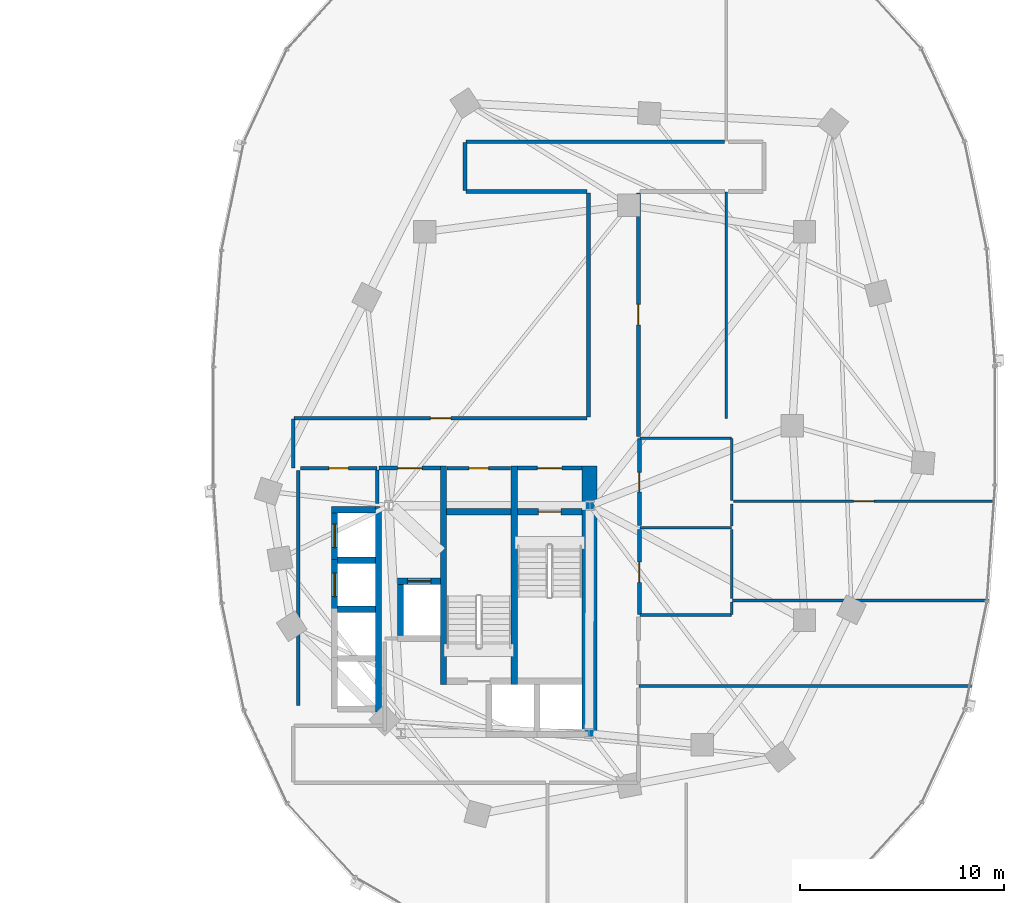
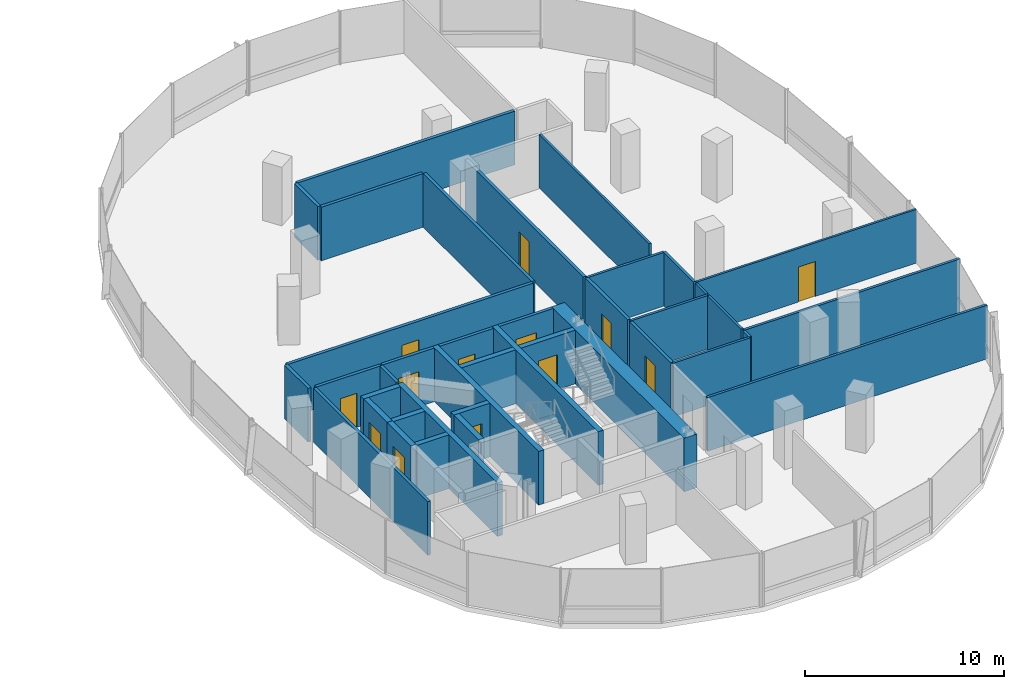
# One storey, part 13 of 21: 39 walls, 13 doors, 13 openings.
"""IFC4 building model written with IfcOpenShell, lengths in metres."""

from ifc_helpers import new_model, si_unit, direction, frame, frame_2d, origin, place, context, subcontext, project, spatial, rectangle, extrude, material, layer, layer_set, type_object, element, fill, save


model = new_model("IFC4")

# Units and contexts
model_context = context("Model", 3, precision=1e-05, world=origin(), true_north=direction((0.0, 1.0)))
body_context = subcontext(model_context, "Body", "Model", "MODEL_VIEW")
ifc_project = project(units=[si_unit("LENGTHUNIT", "METRE"), si_unit("AREAUNIT", "SQUARE_METRE"), si_unit("VOLUMEUNIT", "CUBIC_METRE"), si_unit("PLANEANGLEUNIT", "RADIAN"), si_unit("MASSUNIT", "GRAM", prefix="KILO"), si_unit("THERMODYNAMICTEMPERATUREUNIT", "KELVIN"), si_unit("POWERUNIT", "WATT")], contexts=[model_context])

# Site, building, storey
site_placement = place(None, origin())
site = spatial("IfcSite", under=ifc_project, at=site_placement, CompositionType="ELEMENT")
building_placement = place(site_placement, origin())
building = spatial("IfcBuilding", under=site, at=building_placement, Name="Cundina Bronze Exchange", CompositionType="ELEMENT")
storey_placement = place(building_placement, frame((0.0, 0.0, 89.0)))
storey = spatial("IfcBuildingStorey", under=building, at=storey_placement, Name="L22", CompositionType="ELEMENT", Elevation=89.0)

# Wall
ifc_material_1 = material(Name="Gypsum Fireboard Partition EI120")
ifc_layer_1 = layer(ifc_material_1, 0.179931640625, Name="Gypsum Fireboard Partition EI120")
ifc_layer_set_1 = layer_set([ifc_layer_1], Name="Gypsum Fireboard Partition EI120")
wall_type_1 = type_object("IfcWallType", Name="WL-COR-180", PredefinedType="PARTITIONING", material=ifc_layer_set_1)
wall_1_placement = place(storey_placement, frame((20.889892578125, -3.800048828125, 0.0), z_axis=(0.0, 0.0, 1.0), x_axis=(0.0, 1.0, 0.0)))
element("IfcWall", 1, at=wall_1_placement, inside=storey, type_object=wall_type_1, Name="L22 E Firefighting Lobby Side Wall", PredefinedType="PARTITIONING", context=body_context, shape_type="SweptSolid", body=[
    extrude(rectangle(XDim=1.650146484375, YDim=0.179931640625, at=frame_2d((0.8251953125, 0.0))), origin(), (0.0, 0.0, 1.0), 3.300048828125),
])

# Wall, opening, door
wall_2_placement = place(storey_placement, frame((20.97998046875, -2.06005859375, 0.0), z_axis=(0.0, 0.0, 1.0), x_axis=(1.0, 0.0, 0.0)))
wall_2 = element("IfcWall", 2, at=wall_2_placement, inside=storey, type_object=wall_type_1, Name="L22 E Firefighting Lobby Exit Wall", PredefinedType="PARTITIONING", context=body_context, shape_type="SweptSolid", body=[
    extrude(rectangle(XDim=3.0, YDim=0.179931640625, at=frame_2d((1.5, 0.0))), origin(), (0.0, 0.0, 1.0), 3.300048828125),
])
opening_1_placement = place(wall_2_placement, frame((0.89990234375, 0.0, 0.0)))
opening_1 = element("IfcOpeningElement", 3, at=opening_1_placement, cuts=wall_2, Name="Opening DF-01", PredefinedType="OPENING", context=body_context, shape_type="SweptSolid", body=[
    extrude(rectangle(XDim=1.199951171875, YDim=2.14990234375, at=frame_2d((0.60009765625, 1.074951171875))), frame((0.0, 0.099853515625, 0.0), z_axis=(0.0, -1.0, 0.0), x_axis=(1.0, 0.0, 0.0)), (0.0, 0.0, 1.0), 0.199951171875),
])
ifc_material_2 = material(Name="Steel ASTM A36 Painted", Category="steel")
door_type_1 = type_object("IfcDoorType", Name="DR-FFL-1200", OperationType="NOTDEFINED", PredefinedType="DOOR", material=ifc_material_2)
door_1_placement = place(opening_1_placement, origin())
door_1 = element("IfcDoor", 4, at=door_1_placement, inside=storey, type_object=door_type_1, Name="L22 E Firefighting Lobby Door", OperationType="SINGLE_SWING_LEFT", OverallHeight=2.14990234375, OverallWidth=1.199951171875, PredefinedType="DOOR", context=body_context, shape_type="SweptSolid", body=[
    extrude(rectangle(XDim=1.199951171875, YDim=2.14990234375, at=frame_2d((0.60009765625, 1.074951171875))), frame((0.0, 0.02490234375, 0.0), z_axis=(0.0, -1.0, 0.0), x_axis=(1.0, 0.0, 0.0)), (0.0, 0.0, 1.0), 0.050048828125),
])
fill(opening_1, door_1)

wall_3_placement = place(storey_placement, frame((27.739990234375, -2.06005859375, 0.0), z_axis=(0.0, 0.0, 1.0), x_axis=(1.0, 0.0, 0.0)))
wall_3 = element("IfcWall", 5, at=wall_3_placement, inside=storey, type_object=wall_type_1, Name="L22 E Stair Vestibule Exit Wall", PredefinedType="PARTITIONING", context=body_context, shape_type="SweptSolid", body=[
    extrude(rectangle(XDim=3.159912109375, YDim=0.179931640625, at=frame_2d((1.580078125, 0.0))), origin(), (0.0, 0.0, 1.0), 3.300048828125),
])
opening_2_placement = place(wall_3_placement, frame((0.97998046875, 0.0, 0.0)))
opening_2 = element("IfcOpeningElement", 6, at=opening_2_placement, cuts=wall_3, Name="Opening DF-01", PredefinedType="OPENING", context=body_context, shape_type="SweptSolid", body=[
    extrude(rectangle(XDim=1.199951171875, YDim=2.14990234375, at=frame_2d((0.60009765625, 1.074951171875))), frame((0.0, 0.099853515625, 0.0), z_axis=(0.0, -1.0, 0.0), x_axis=(1.0, 0.0, 0.0)), (0.0, 0.0, 1.0), 0.199951171875),
])
door_2_placement = place(opening_2_placement, origin())
door_2 = element("IfcDoor", 7, at=door_2_placement, inside=storey, type_object=door_type_1, Name="L22 E Stair Vestibule Door", OperationType="SINGLE_SWING_RIGHT", OverallHeight=2.14990234375, OverallWidth=1.199951171875, PredefinedType="DOOR", context=body_context, shape_type="SweptSolid", body=[
    extrude(rectangle(XDim=1.199951171875, YDim=2.14990234375, at=frame_2d((0.60009765625, 1.074951171875))), frame((0.0, 0.02490234375, 0.0), z_axis=(0.0, -1.0, 0.0), x_axis=(1.0, 0.0, 0.0)), (0.0, 0.0, 1.0), 0.050048828125),
])
fill(opening_2, door_2)

# Wall
wall_4_placement = place(storey_placement, frame((17.02001953125, -13.679931640625, 0.0), z_axis=(0.0, 0.0, 1.0), x_axis=(0.0, 1.0, 0.0)))
element("IfcWall", 8, at=wall_4_placement, inside=storey, type_object=wall_type_1, Name="L22 Interior Partition 034", PredefinedType="PARTITIONING", context=body_context, shape_type="SweptSolid", body=[
    extrude(rectangle(XDim=11.510009765625, YDim=0.179931640625, at=frame_2d((5.7548828125, 0.0))), origin(), (0.0, 0.0, 1.0), 3.300048828125),
])

# Wall, opening, door
wall_5_placement = place(storey_placement, frame((17.1201171875, -2.070068359375, 0.0), z_axis=(0.0, 0.0, 1.0), x_axis=(1.0, 0.0, 0.0)))
wall_5 = element("IfcWall", 9, at=wall_5_placement, inside=storey, type_object=wall_type_1, Name="L22 Interior Partition 035", PredefinedType="PARTITIONING", context=body_context, shape_type="SweptSolid", body=[
    extrude(rectangle(XDim=3.75, YDim=0.179931640625, at=frame_2d((1.875, 0.0))), origin(), (0.0, 0.0, 1.0), 3.300048828125),
])
opening_3_placement = place(wall_5_placement, frame((1.39990234375, 0.0, 0.0)))
opening_3 = element("IfcOpeningElement", 10, at=opening_3_placement, cuts=wall_5, Name="Opening DW-01", PredefinedType="OPENING", context=body_context, shape_type="SweptSolid", body=[
    extrude(rectangle(XDim=0.949951171875, YDim=2.10009765625, at=frame_2d((0.47509765625, 1.050048828125))), frame((0.0, 0.099853515625, 0.0), z_axis=(0.0, -1.0, 0.0), x_axis=(1.0, 0.0, 0.0)), (0.0, 0.0, 1.0), 0.199951171875),
])
ifc_material_3 = material(Name="Solid Andean Oak Timber Grade A", Category="wood")
door_type_2 = type_object("IfcDoorType", Name="DR-WC-950", OperationType="NOTDEFINED", PredefinedType="DOOR", material=ifc_material_3)
door_3_placement = place(opening_3_placement, origin())
door_3 = element("IfcDoor", 11, at=door_3_placement, inside=storey, type_object=door_type_2, Name="L22 Interior Door 035", OperationType="SINGLE_SWING_RIGHT", OverallHeight=2.10009765625, OverallWidth=0.949951171875, PredefinedType="DOOR", context=body_context, shape_type="SweptSolid", body=[
    extrude(rectangle(XDim=0.949951171875, YDim=2.10009765625, at=frame_2d((0.47509765625, 1.050048828125))), frame((0.0, 0.02490234375, 0.0), z_axis=(0.0, -1.0, 0.0), x_axis=(1.0, 0.0, 0.0)), (0.0, 0.0, 1.0), 0.050048828125),
])
fill(opening_3, door_3)

wall_6_placement = place(storey_placement, frame((24.300048828125, -2.070068359375, 0.0), z_axis=(0.0, 0.0, 1.0), x_axis=(1.0, 0.0, 0.0)))
wall_6 = element("IfcWall", 12, at=wall_6_placement, inside=storey, type_object=wall_type_1, Name="L22 Interior Partition 038", PredefinedType="PARTITIONING", context=body_context, shape_type="SweptSolid", body=[
    extrude(rectangle(XDim=3.119873046875, YDim=0.179931640625, at=frame_2d((1.56005859375, 0.0))), origin(), (0.0, 0.0, 1.0), 3.300048828125),
])
opening_4_placement = place(wall_6_placement, frame((1.0849609375, 0.0, 0.0)))
opening_4 = element("IfcOpeningElement", 13, at=opening_4_placement, cuts=wall_6, Name="Opening DW-01", PredefinedType="OPENING", context=body_context, shape_type="SweptSolid", body=[
    extrude(rectangle(XDim=0.949951171875, YDim=2.10009765625, at=frame_2d((0.47509765625, 1.050048828125))), frame((0.0, 0.099853515625, 0.0), z_axis=(0.0, -1.0, 0.0), x_axis=(1.0, 0.0, 0.0)), (0.0, 0.0, 1.0), 0.199951171875),
])
door_4_placement = place(opening_4_placement, origin())
door_4 = element("IfcDoor", 14, at=door_4_placement, inside=storey, type_object=door_type_2, Name="L22 Interior Door 038", OperationType="SINGLE_SWING_RIGHT", OverallHeight=2.10009765625, OverallWidth=0.949951171875, PredefinedType="DOOR", context=body_context, shape_type="SweptSolid", body=[
    extrude(rectangle(XDim=0.949951171875, YDim=2.10009765625, at=frame_2d((0.47509765625, 1.050048828125))), frame((0.0, 0.02490234375, 0.0), z_axis=(0.0, -1.0, 0.0), x_axis=(1.0, 0.0, 0.0)), (0.0, 0.0, 1.0), 0.050048828125),
])
fill(opening_4, door_4)

wall_7_placement = place(storey_placement, frame((33.719970703125, -4.8798828125, 0.0), z_axis=(0.0, 0.0, 1.0), x_axis=(0.0, 1.0, 0.0)))
wall_7 = element("IfcWall", 15, at=wall_7_placement, inside=storey, type_object=wall_type_1, Name="L22 Interior Partition 046", PredefinedType="PARTITIONING", context=body_context, shape_type="SweptSolid", body=[
    extrude(rectangle(XDim=4.259765625, YDim=0.179931640625, at=frame_2d((2.1298828125, 0.0))), origin(), (0.0, 0.0, 1.0), 3.300048828125),
])
opening_5_placement = place(wall_7_placement, frame((1.655029296875, 0.0, 0.0)))
opening_5 = element("IfcOpeningElement", 16, at=opening_5_placement, cuts=wall_7, Name="Opening DW-01", PredefinedType="OPENING", context=body_context, shape_type="SweptSolid", body=[
    extrude(rectangle(XDim=0.949951171875, YDim=2.10009765625, at=frame_2d((0.47509765625, 1.050048828125))), frame((0.0, 0.099853515625, 0.0), z_axis=(0.0, -1.0, 0.0), x_axis=(1.0, 0.0, 0.0)), (0.0, 0.0, 1.0), 0.199951171875),
])
door_5_placement = place(opening_5_placement, origin())
door_5 = element("IfcDoor", 17, at=door_5_placement, inside=storey, type_object=door_type_2, Name="L22 Interior Door 046", OperationType="SINGLE_SWING_RIGHT", OverallHeight=2.10009765625, OverallWidth=0.949951171875, PredefinedType="DOOR", context=body_context, shape_type="SweptSolid", body=[
    extrude(rectangle(XDim=0.949951171875, YDim=2.10009765625, at=frame_2d((0.47509765625, 1.050048828125))), frame((0.0, 0.02490234375, 0.0), z_axis=(0.0, -1.0, 0.0), x_axis=(1.0, 0.0, 0.0)), (0.0, 0.0, 1.0), 0.050048828125),
])
fill(opening_5, door_5)

wall_8_placement = place(storey_placement, frame((33.719970703125, -9.239990234375, 0.0), z_axis=(0.0, 0.0, 1.0), x_axis=(0.0, 1.0, 0.0)))
wall_8 = element("IfcWall", 18, at=wall_8_placement, inside=storey, type_object=wall_type_1, Name="L22 Interior Partition 047", PredefinedType="PARTITIONING", context=body_context, shape_type="SweptSolid", body=[
    extrude(rectangle(XDim=4.159912109375, YDim=0.179931640625, at=frame_2d((2.080078125, 0.0))), origin(), (0.0, 0.0, 1.0), 3.300048828125),
])
opening_6_placement = place(wall_8_placement, frame((1.580078125, 0.0, 0.0)))
opening_6 = element("IfcOpeningElement", 19, at=opening_6_placement, cuts=wall_8, Name="Opening DO-01", PredefinedType="OPENING", context=body_context, shape_type="SweptSolid", body=[
    extrude(rectangle(XDim=1.0, YDim=2.14990234375, at=frame_2d((0.5, 1.074951171875))), frame((0.0, 0.099853515625, 0.0), z_axis=(0.0, -1.0, 0.0), x_axis=(1.0, 0.0, 0.0)), (0.0, 0.0, 1.0), 0.199951171875),
])
door_type_3 = type_object("IfcDoorType", Name="DR-OFF-1000", OperationType="NOTDEFINED", PredefinedType="DOOR", material=ifc_material_3)
door_6_placement = place(opening_6_placement, origin())
door_6 = element("IfcDoor", 20, at=door_6_placement, inside=storey, type_object=door_type_3, Name="L22 Interior Door 047", OperationType="SINGLE_SWING_RIGHT", OverallHeight=2.14990234375, OverallWidth=1.0, PredefinedType="DOOR", context=body_context, shape_type="SweptSolid", body=[
    extrude(rectangle(XDim=1.0, YDim=2.14990234375, at=frame_2d((0.5, 1.074951171875))), frame((0.0, 0.02490234375, 0.0), z_axis=(0.0, -1.0, 0.0), x_axis=(1.0, 0.0, 0.0)), (0.0, 0.0, 1.0), 0.050048828125),
])
fill(opening_6, door_6)

wall_9_placement = place(storey_placement, frame((31.14990234375, 0.3701171875, 0.0), z_axis=(0.0, 0.0, 1.0), x_axis=(-1.0, 0.0, 0.0)))
wall_9 = element("IfcWall", 21, at=wall_9_placement, inside=storey, type_object=wall_type_1, Name="L22 Interior Partition 057", PredefinedType="PARTITIONING", context=body_context, shape_type="SweptSolid", body=[
    extrude(rectangle(XDim=14.328369140625, YDim=0.179931640625, at=frame_2d((7.1640625, 0.0))), origin(), (0.0, 0.0, 1.0), 3.300048828125),
])
opening_7_placement = place(wall_9_placement, frame((6.664306640625, 0.0, 0.0)))
opening_7 = element("IfcOpeningElement", 22, at=opening_7_placement, cuts=wall_9, Name="Opening DO-01", PredefinedType="OPENING", context=body_context, shape_type="SweptSolid", body=[
    extrude(rectangle(XDim=1.0, YDim=2.14990234375, at=frame_2d((0.5, 1.074951171875))), frame((0.0, 0.099853515625, 0.0), z_axis=(0.0, -1.0, 0.0), x_axis=(1.0, 0.0, 0.0)), (0.0, 0.0, 1.0), 0.199951171875),
])
door_7_placement = place(opening_7_placement, origin())
door_7 = element("IfcDoor", 23, at=door_7_placement, inside=storey, type_object=door_type_3, Name="L22 Interior Door 057", OperationType="SINGLE_SWING_RIGHT", OverallHeight=2.14990234375, OverallWidth=1.0, PredefinedType="DOOR", context=body_context, shape_type="SweptSolid", body=[
    extrude(rectangle(XDim=1.0, YDim=2.14990234375, at=frame_2d((0.5, 1.074951171875))), frame((0.0, 0.02490234375, 0.0), z_axis=(0.0, -1.0, 0.0), x_axis=(1.0, 0.0, 0.0)), (0.0, 0.0, 1.0), 0.050048828125),
])
fill(opening_7, door_7)

# Walls
wall_10_placement = place(storey_placement, frame((37.889892578125, 13.919921875, 0.0), z_axis=(0.0, 0.0, 1.0), x_axis=(-1.0, 0.0, 0.0)))
element("IfcWall", 24, at=wall_10_placement, inside=storey, type_object=wall_type_1, Name="L22 Interior Partition 058", PredefinedType="PARTITIONING", context=body_context, shape_type="SweptSolid", body=[
    extrude(rectangle(XDim=12.66845703125, YDim=0.179931640625, at=frame_2d((6.334228515625, 0.0))), origin(), (0.0, 0.0, 1.0), 3.300048828125),
])
wall_11_placement = place(storey_placement, frame((31.22998046875, 11.39990234375, 0.0), z_axis=(0.0, 0.0, 1.0), x_axis=(0.0, -1.0, 0.0)))
element("IfcWall", 25, at=wall_11_placement, inside=storey, type_object=wall_type_1, Name="L22 Interior Partition 060", PredefinedType="PARTITIONING", context=body_context, shape_type="SweptSolid", body=[
    extrude(rectangle(XDim=10.949951171875, YDim=0.179931640625, at=frame_2d((5.47509765625, 0.0))), origin(), (0.0, 0.0, 1.0), 3.300048828125),
])
wall_12_placement = place(storey_placement, frame((25.221435546875, 11.47998046875, 0.0), z_axis=(0.0, 0.0, 1.0), x_axis=(1.0, 0.0, 0.0)))
element("IfcWall", 26, at=wall_12_placement, inside=storey, type_object=wall_type_1, Name="L22 Interior Partition 061", PredefinedType="PARTITIONING", context=body_context, shape_type="SweptSolid", body=[
    extrude(rectangle(XDim=5.928466796875, YDim=0.179931640625, at=frame_2d((2.96435546875, 0.0))), origin(), (0.0, 0.0, 1.0), 3.300048828125),
])
wall_13_placement = place(storey_placement, frame((16.780029296875, 0.32861328125, 0.0), z_axis=(0.0, 0.0, 1.0), x_axis=(0.0, -1.0, 0.0)))
element("IfcWall", 27, at=wall_13_placement, inside=storey, type_object=wall_type_1, Name="L22 Interior Partition 064", PredefinedType="PARTITIONING", context=body_context, shape_type="SweptSolid", body=[
    extrude(rectangle(XDim=2.38720703125, YDim=0.179931640625, at=frame_2d((1.193603515625, 0.0))), origin(), (0.0, 0.0, 1.0), 3.300048828125),
])
wall_14_placement = place(storey_placement, frame((25.179931640625, 13.87841796875, 0.0), z_axis=(0.0, 0.0, 1.0), x_axis=(0.0, -1.0, 0.0)))
element("IfcWall", 28, at=wall_14_placement, inside=storey, type_object=wall_type_1, Name="L22 Interior Partition 065", PredefinedType="PARTITIONING", context=body_context, shape_type="SweptSolid", body=[
    extrude(rectangle(XDim=2.35693359375, YDim=0.179931640625, at=frame_2d((1.178466796875, 0.0))), origin(), (0.0, 0.0, 1.0), 3.300048828125),
])

# Wall, opening, door
wall_15_placement = place(storey_placement, frame((33.669921875, -0.508544921875, 0.0), z_axis=(0.0, 0.0, 1.0), x_axis=(0.0, 1.0, 0.0)))
wall_15 = element("IfcWall", 29, at=wall_15_placement, inside=storey, type_object=wall_type_1, Name="L22 Interior Partition 066", PredefinedType="PARTITIONING", context=body_context, shape_type="SweptSolid", body=[
    extrude(rectangle(XDim=11.908447265625, YDim=0.179931640625, at=frame_2d((5.9541015625, 0.0))), origin(), (0.0, 0.0, 1.0), 3.300048828125),
])
opening_8_placement = place(wall_15_placement, frame((5.454345703125, 0.0, 0.0)))
opening_8 = element("IfcOpeningElement", 30, at=opening_8_placement, cuts=wall_15, Name="Opening DO-01", PredefinedType="OPENING", context=body_context, shape_type="SweptSolid", body=[
    extrude(rectangle(XDim=1.0, YDim=2.14990234375, at=frame_2d((0.5, 1.074951171875))), frame((0.0, 0.099853515625, 0.0), z_axis=(0.0, -1.0, 0.0), x_axis=(1.0, 0.0, 0.0)), (0.0, 0.0, 1.0), 0.199951171875),
])
door_8_placement = place(opening_8_placement, origin())
door_8 = element("IfcDoor", 31, at=door_8_placement, inside=storey, type_object=door_type_3, Name="L22 Interior Door 066", OperationType="SINGLE_SWING_LEFT", OverallHeight=2.14990234375, OverallWidth=1.0, PredefinedType="DOOR", context=body_context, shape_type="SweptSolid", body=[
    extrude(rectangle(XDim=1.0, YDim=2.14990234375, at=frame_2d((0.5, 1.074951171875))), frame((0.0, 0.02490234375, 0.0), z_axis=(0.0, -1.0, 0.0), x_axis=(1.0, 0.0, 0.0)), (0.0, 0.0, 1.0), 0.050048828125),
])
fill(opening_8, door_8)

# Walls
ifc_material_4 = material(Name="Concrete C60/75", Category="concrete")
ifc_layer_2 = layer(ifc_material_4, 0.75, Name="Concrete C60/75", Category="concrete")
ifc_layer_set_2 = layer_set([ifc_layer_2], Name="Concrete C60/75")
wall_type_2 = type_object("IfcWallType", Name="WL-CORE-750", PredefinedType="SHEAR", material=ifc_layer_set_2)
wall_16_placement = place(storey_placement, frame((31.27490234375, -15.300048828125, 0.0), z_axis=(0.0, 0.0, 1.0), x_axis=(0.0, 1.0, 0.0)))
element("IfcWall", 32, at=wall_16_placement, inside=storey, type_object=wall_type_2, Name="L22 E Primary Core Shear Spine Wall", PredefinedType="SHEAR", context=body_context, shape_type="SweptSolid", body=[
    extrude(rectangle(XDim=13.330078125, YDim=0.75, at=frame_2d((6.6650390625, 0.0))), origin(), (0.0, 0.0, 1.0), 3.300048828125),
])
ifc_material_5 = material(Name="Gypsum Acoustic Partition EI60")
ifc_layer_3 = layer(ifc_material_5, 0.125, Name="Gypsum Acoustic Partition EI60")
ifc_layer_set_3 = layer_set([ifc_layer_3], Name="Gypsum Acoustic Partition EI60")
wall_type_3 = type_object("IfcWallType", Name="WL-OFF-125", PredefinedType="PARTITIONING", material=ifc_layer_set_3)
wall_17_placement = place(storey_placement, frame((37.97998046875, 0.3701171875, 0.0), z_axis=(0.0, 0.0, 1.0), x_axis=(0.0, 1.0, 0.0)))
element("IfcWall", 33, at=wall_17_placement, inside=storey, type_object=wall_type_3, Name="L22 Interior Partition 048", PredefinedType="PARTITIONING", context=body_context, shape_type="SweptSolid", body=[
    extrude(rectangle(XDim=11.079833984375, YDim=0.125, at=frame_2d((5.5400390625, 0.0))), origin(), (0.0, 0.0, 1.0), 3.300048828125),
])

# Wall, opening, door
wall_18_placement = place(storey_placement, frame((38.320068359375, -3.68994140625, 0.0), z_axis=(0.0, 0.0, 1.0), x_axis=(1.0, 0.0, 0.0)))
wall_18 = element("IfcWall", 34, at=wall_18_placement, inside=storey, type_object=wall_type_3, Name="L22 Interior Partition 071", PredefinedType="PARTITIONING", context=body_context, shape_type="SweptSolid", body=[
    extrude(rectangle(XDim=12.77587890625, YDim=0.125, at=frame_2d((6.387939453125, 0.0))), origin(), (0.0, 0.0, 1.0), 3.300048828125),
])
opening_9_placement = place(wall_18_placement, frame((5.887939453125, 0.0, 0.0)))
opening_9 = element("IfcOpeningElement", 35, at=opening_9_placement, cuts=wall_18, Name="Opening DO-01", PredefinedType="OPENING", context=body_context, shape_type="SweptSolid", body=[
    extrude(rectangle(XDim=1.0, YDim=2.14990234375, at=frame_2d((0.5, 1.074951171875))), frame((0.0, 0.072509765625, 0.0), z_axis=(0.0, -1.0, 0.0), x_axis=(1.0, 0.0, 0.0)), (0.0, 0.0, 1.0), 0.14501953125),
])
door_9_placement = place(opening_9_placement, origin())
door_9 = element("IfcDoor", 36, at=door_9_placement, inside=storey, type_object=door_type_3, Name="L22 Interior Door 071", OperationType="SINGLE_SWING_RIGHT", OverallHeight=2.14990234375, OverallWidth=1.0, PredefinedType="DOOR", context=body_context, shape_type="SweptSolid", body=[
    extrude(rectangle(XDim=1.0, YDim=2.14990234375, at=frame_2d((0.5, 1.074951171875))), frame((0.0, 0.02490234375, 0.0), z_axis=(0.0, -1.0, 0.0), x_axis=(1.0, 0.0, 0.0)), (0.0, 0.0, 1.0), 0.050048828125),
])
fill(opening_9, door_9)

# Walls
ifc_material_6 = material(Name="Concrete C50/60", Category="concrete")
ifc_layer_4 = layer(ifc_material_6, 0.300048828125, Name="Concrete C50/60", Category="concrete")
ifc_layer_set_4 = layer_set([ifc_layer_4], Name="Concrete C50/60")
wall_type_4 = type_object("IfcWallType", Name="WL-SHFT-300", PredefinedType="SHEAR", material=ifc_layer_set_4)
for number, where, z_axis, x_axis, name in (
    (37, (27.590087890625, -12.64990234375, 0.0), (0.0, 0.0, 1.0), (0.0, 1.0, 0.0), "L22 E Stair Shaft Dividing Shear Wall"),
    (38, (24.1298828125, -12.64990234375, 0.0), (0.0, 0.0, 1.0), (0.0, 1.0, 0.0), "L22 E Stair 2 East Shear Wall"),
):
    element("IfcWall", number, at=place(storey_placement, frame(where, z_axis=z_axis, x_axis=x_axis)), inside=storey, type_object=wall_type_4, Name=name, PredefinedType="SHEAR", context=body_context, shape_type="SweptSolid", body=[
        extrude(rectangle(XDim=10.679931640625, YDim=0.300048828125, at=frame_2d((5.33984375, 0.0))), origin(), (0.0, 0.0, 1.0), 3.300048828125),
    ])

# Wall, opening, door
wall_19_placement = place(storey_placement, frame((27.739990234375, -4.199951171875, 0.0), z_axis=(0.0, 0.0, 1.0), x_axis=(1.0, 0.0, 0.0)))
wall_19 = element("IfcWall", 39, at=wall_19_placement, inside=storey, type_object=wall_type_4, Name="L22 Stair E1 Landing Wall", PredefinedType="SHEAR", context=body_context, shape_type="SweptSolid", body=[
    extrude(rectangle(XDim=3.159912109375, YDim=0.300048828125, at=frame_2d((1.580078125, 0.0))), origin(), (0.0, 0.0, 1.0), 3.300048828125),
])
opening_10_placement = place(wall_19_placement, frame((1.030029296875, 0.0, 0.0)))
opening_10 = element("IfcOpeningElement", 40, at=opening_10_placement, cuts=wall_19, Name="Opening DS-01", PredefinedType="OPENING", context=body_context, shape_type="SweptSolid", body=[
    extrude(rectangle(XDim=1.10009765625, YDim=2.14990234375, at=frame_2d((0.550048828125, 1.074951171875))), frame((0.0, 0.159912109375, 0.0), z_axis=(0.0, -1.0, 0.0), x_axis=(1.0, 0.0, 0.0)), (0.0, 0.0, 1.0), 0.320068359375),
])
door_type_4 = type_object("IfcDoorType", Name="DR-STR-1100", OperationType="NOTDEFINED", PredefinedType="DOOR", material=ifc_material_2)
door_10_placement = place(opening_10_placement, origin())
door_10 = element("IfcDoor", 41, at=door_10_placement, inside=storey, type_object=door_type_4, Name="L22 Smokeproof Stair E1 Door", OperationType="SINGLE_SWING_LEFT", OverallHeight=2.14990234375, OverallWidth=1.10009765625, PredefinedType="DOOR", context=body_context, shape_type="SweptSolid", body=[
    extrude(rectangle(XDim=1.10009765625, YDim=2.14990234375, at=frame_2d((0.550048828125, 1.074951171875))), frame((0.0, 0.02490234375, 0.0), z_axis=(0.0, -1.0, 0.0), x_axis=(1.0, 0.0, 0.0)), (0.0, 0.0, 1.0), 0.050048828125),
])
fill(opening_10, door_10)

# Wall
wall_20_placement = place(storey_placement, frame((24.280029296875, -4.199951171875, 0.0), z_axis=(0.0, 0.0, 1.0), x_axis=(1.0, 0.0, 0.0)))
element("IfcWall", 42, at=wall_20_placement, inside=storey, type_object=wall_type_4, Name="L22 Stair E2 Far Shaft Wall", PredefinedType="SHEAR", context=body_context, shape_type="SweptSolid", body=[
    extrude(rectangle(XDim=3.159912109375, YDim=0.300048828125, at=frame_2d((1.580078125, 0.0))), origin(), (0.0, 0.0, 1.0), 3.300048828125),
])

# Wall, opening, door
wall_21_placement = place(storey_placement, frame((21.8798828125, -7.60009765625, 0.0), z_axis=(0.0, 0.0, 1.0), x_axis=(1.0, 0.0, 0.0)))
wall_21 = element("IfcWall", 43, at=wall_21_placement, inside=storey, type_object=wall_type_4, Name="L22 FFL-E Hoistway Front Wall", PredefinedType="SHEAR", context=body_context, shape_type="SweptSolid", body=[
    extrude(rectangle(XDim=2.10009765625, YDim=0.300048828125, at=frame_2d((1.050048828125, 0.0))), origin(), (0.0, 0.0, 1.0), 3.300048828125),
])
opening_11_placement = place(wall_21_placement, frame((0.47509765625, 0.0, 0.0)))
opening_11 = element("IfcOpeningElement", 44, at=opening_11_placement, cuts=wall_21, Name="Opening LD-01", PredefinedType="OPENING", context=body_context, shape_type="SweptSolid", body=[
    extrude(rectangle(XDim=1.14990234375, YDim=2.199951171875, at=frame_2d((0.574951171875, 1.10009765625))), frame((0.0, 0.159912109375, 0.0), z_axis=(0.0, -1.0, 0.0), x_axis=(1.0, 0.0, 0.0)), (0.0, 0.0, 1.0), 0.320068359375),
])
door_type_5 = type_object("IfcDoorType", Name="DR-LND-1150", OperationType="NOTDEFINED", PredefinedType="TRAPDOOR", material=ifc_material_2)
door_11_placement = place(opening_11_placement, origin())
door_11 = element("IfcDoor", 45, at=door_11_placement, inside=storey, type_object=door_type_5, Name="L22 FFL-E Sliding Landing Door", OperationType="SLIDING_TO_LEFT", OverallHeight=2.199951171875, OverallWidth=1.14990234375, PredefinedType="TRAPDOOR", context=body_context, shape_type="SweptSolid", body=[
    extrude(rectangle(XDim=1.14990234375, YDim=2.199951171875, at=frame_2d((0.574951171875, 1.10009765625))), frame((0.0, 0.02490234375, 0.0), z_axis=(0.0, -1.0, 0.0), x_axis=(1.0, 0.0, 0.0)), (0.0, 0.0, 1.0), 0.050048828125),
])
fill(opening_11, door_11)

# Walls
wall_22_placement = place(storey_placement, frame((22.030029296875, -10.25, 0.0), z_axis=(0.0, 0.0, 1.0), x_axis=(0.0, 1.0, 0.0)))
element("IfcWall", 46, at=wall_22_placement, inside=storey, type_object=wall_type_4, Name="L22 FFL-E Hoistway Side Wall", PredefinedType="SHEAR", context=body_context, shape_type="SweptSolid", body=[
    extrude(rectangle(XDim=2.5, YDim=0.300048828125, at=frame_2d((1.25, 0.0))), origin(), (0.0, 0.0, 1.0), 3.300048828125),
])
wall_23_placement = place(storey_placement, frame((20.949951171875, -14.0, 0.0), z_axis=(0.0, 0.0, 1.0), x_axis=(0.0, 1.0, 0.0)))
element("IfcWall", 47, at=wall_23_placement, inside=storey, type_object=wall_type_4, Name="L22 E Passenger Bank Hoistway Back Wall", PredefinedType="SHEAR", context=body_context, shape_type="SweptSolid", body=[
    extrude(rectangle(XDim=10.050048828125, YDim=0.300048828125, at=frame_2d((5.02490234375, 0.0))), origin(), (0.0, 0.0, 1.0), 3.300048828125),
])
wall_24_placement = place(storey_placement, frame((18.64990234375, -4.10009765625, 0.0), z_axis=(0.0, 0.0, 1.0), x_axis=(1.0, 0.0, 0.0)))
element("IfcWall", 48, at=wall_24_placement, inside=storey, type_object=wall_type_4, Name="L22 E Passenger Bank North Cap Wall", PredefinedType="SHEAR", context=body_context, shape_type="SweptSolid", body=[
    extrude(rectangle(XDim=2.150146484375, YDim=0.300048828125, at=frame_2d((1.0751953125, 0.0))), origin(), (0.0, 0.0, 1.0), 3.300048828125),
])
for number, where, z_axis, x_axis, name in (
    (49, (18.949951171875, -8.97509765625, 0.0), (0.0, 0.0, 1.0), (1.0, 0.0, 0.0), "L22 E Passenger Hoistway Divider 2"),
    (50, (18.949951171875, -6.574951171875, 0.0), (0.0, 0.0, 1.0), (1.0, 0.0, 0.0), "L22 E Passenger Hoistway Divider 3"),
):
    element("IfcWall", number, at=place(storey_placement, frame(where, z_axis=z_axis, x_axis=x_axis)), inside=storey, type_object=wall_type_4, Name=name, PredefinedType="SHEAR", context=body_context, shape_type="SweptSolid", body=[
        extrude(rectangle(XDim=1.85009765625, YDim=0.300048828125, at=frame_2d((0.925048828125, 0.0))), origin(), (0.0, 0.0, 1.0), 3.300048828125),
    ])

# Wall, opening, door
wall_25_placement = place(storey_placement, frame((18.800048828125, -9.02001953125, 0.0), z_axis=(0.0, 0.0, 1.0), x_axis=(0.0, 1.0, 0.0)))
wall_25 = element("IfcWall", 51, at=wall_25_placement, inside=storey, type_object=wall_type_4, Name="L22 PL-E1 Hoistway Front Wall", PredefinedType="SHEAR", context=body_context, shape_type="SweptSolid", body=[
    extrude(rectangle(XDim=2.489990234375, YDim=0.300048828125, at=frame_2d((1.2451171875, 0.0))), origin(), (0.0, 0.0, 1.0), 3.300048828125),
])
opening_12_placement = place(wall_25_placement, frame((0.669921875, 0.0, 0.0)))
opening_12 = element("IfcOpeningElement", 52, at=opening_12_placement, cuts=wall_25, Name="Opening LD-01", PredefinedType="OPENING", context=body_context, shape_type="SweptSolid", body=[
    extrude(rectangle(XDim=1.14990234375, YDim=2.199951171875, at=frame_2d((0.574951171875, 1.10009765625))), frame((0.0, 0.159912109375, 0.0), z_axis=(0.0, -1.0, 0.0), x_axis=(1.0, 0.0, 0.0)), (0.0, 0.0, 1.0), 0.320068359375),
])
door_12_placement = place(opening_12_placement, origin())
door_12 = element("IfcDoor", 53, at=door_12_placement, inside=storey, type_object=door_type_5, Name="L22 PL-E1 Sliding Landing Door", OperationType="SLIDING_TO_LEFT", OverallHeight=2.199951171875, OverallWidth=1.14990234375, PredefinedType="TRAPDOOR", context=body_context, shape_type="SweptSolid", body=[
    extrude(rectangle(XDim=1.14990234375, YDim=2.199951171875, at=frame_2d((0.574951171875, 1.10009765625))), frame((0.0, 0.02490234375, 0.0), z_axis=(0.0, -1.0, 0.0), x_axis=(1.0, 0.0, 0.0)), (0.0, 0.0, 1.0), 0.050048828125),
])
fill(opening_12, door_12)

wall_26_placement = place(storey_placement, frame((18.800048828125, -6.6201171875, 0.0), z_axis=(0.0, 0.0, 1.0), x_axis=(0.0, 1.0, 0.0)))
wall_26 = element("IfcWall", 54, at=wall_26_placement, inside=storey, type_object=wall_type_4, Name="L22 PL-E2 Hoistway Front Wall", PredefinedType="SHEAR", context=body_context, shape_type="SweptSolid", body=[
    extrude(rectangle(XDim=2.490234375, YDim=0.300048828125, at=frame_2d((1.2451171875, 0.0))), origin(), (0.0, 0.0, 1.0), 3.300048828125),
])
opening_13_placement = place(wall_26_placement, frame((0.669921875, 0.0, 0.0)))
opening_13 = element("IfcOpeningElement", 55, at=opening_13_placement, cuts=wall_26, Name="Opening LD-01", PredefinedType="OPENING", context=body_context, shape_type="SweptSolid", body=[
    extrude(rectangle(XDim=1.14990234375, YDim=2.199951171875, at=frame_2d((0.574951171875, 1.10009765625))), frame((0.0, 0.159912109375, 0.0), z_axis=(0.0, -1.0, 0.0), x_axis=(1.0, 0.0, 0.0)), (0.0, 0.0, 1.0), 0.320068359375),
])
door_13_placement = place(opening_13_placement, origin())
door_13 = element("IfcDoor", 56, at=door_13_placement, inside=storey, type_object=door_type_5, Name="L22 PL-E2 Sliding Landing Door", OperationType="SLIDING_TO_LEFT", OverallHeight=2.199951171875, OverallWidth=1.14990234375, PredefinedType="TRAPDOOR", context=body_context, shape_type="SweptSolid", body=[
    extrude(rectangle(XDim=1.14990234375, YDim=2.199951171875, at=frame_2d((0.574951171875, 1.10009765625))), frame((0.0, 0.02490234375, 0.0), z_axis=(0.0, -1.0, 0.0), x_axis=(1.0, 0.0, 0.0)), (0.0, 0.0, 1.0), 0.050048828125),
])
fill(opening_13, door_13)

# Walls
ifc_layer_5 = layer(ifc_material_5, 0.14990234375, Name="Gypsum Acoustic Partition EI60")
ifc_layer_set_5 = layer_set([ifc_layer_5], Name="Gypsum Acoustic Partition EI60")
wall_type_5 = type_object("IfcWallType", Name="WL-TEN-150", PredefinedType="PARTITIONING", material=ifc_layer_set_5)
wall_27_placement = place(storey_placement, frame((38.27001953125, -8.5400390625, 0.0), z_axis=(0.0, 0.0, 1.0), x_axis=(1.0, 0.0, 0.0)))
element("IfcWall", 57, at=wall_27_placement, inside=storey, type_object=wall_type_5, Name="L22 Interior Partition 050", PredefinedType="PARTITIONING", context=body_context, shape_type="SweptSolid", body=[
    extrude(rectangle(XDim=12.54296875, YDim=0.14990234375, at=frame_2d((6.271484375, 0.0))), origin(), (0.0, 0.0, 1.0), 3.300048828125),
])
wall_28_placement = place(storey_placement, frame((33.699951171875, -12.739990234375, 0.0), z_axis=(0.0, 0.0, 1.0), x_axis=(1.0, 0.0, 0.0)))
element("IfcWall", 58, at=wall_28_placement, inside=storey, type_object=wall_type_5, Name="L22 Interior Partition 051", PredefinedType="PARTITIONING", context=body_context, shape_type="SweptSolid", body=[
    extrude(rectangle(XDim=16.263916015625, YDim=0.14990234375, at=frame_2d((8.1318359375, 0.0))), origin(), (0.0, 0.0, 1.0), 3.300048828125),
])
ifc_material_7 = material(Name="Moisture-Resistant Masonry Block Grade M15", Category="masonry")
ifc_layer_6 = layer(ifc_material_7, 0.139892578125, Name="Moisture-Resistant Masonry Block Grade M15", Category="masonry")
ifc_layer_set_6 = layer_set([ifc_layer_6], Name="Moisture-Resistant Masonry Block Grade M15")
wall_type_6 = type_object("IfcWallType", Name="WL-WET-140", PredefinedType="PARTITIONING", material=ifc_layer_set_6)
wall_29_placement = place(storey_placement, frame((38.239990234375, -9.239990234375, 0.0), z_axis=(0.0, 0.0, 1.0), x_axis=(0.0, 1.0, 0.0)))
element("IfcWall", 59, at=wall_29_placement, inside=storey, type_object=wall_type_6, Name="L22 Interior Partition 039", PredefinedType="PARTITIONING", context=body_context, shape_type="SweptSolid", body=[
    extrude(rectangle(XDim=0.614990234375, YDim=0.139892578125, at=frame_2d((0.3076171875, 0.0))), origin(), (0.0, 0.0, 1.0), 3.300048828125),
])
wall_30_placement = place(storey_placement, frame((38.239990234375, -8.455078125, 0.0), z_axis=(0.0, 0.0, 1.0), x_axis=(0.0, 1.0, 0.0)))
element("IfcWall", 60, at=wall_30_placement, inside=storey, type_object=wall_type_6, Name="L22 Interior Partition 040", PredefinedType="PARTITIONING", context=body_context, shape_type="SweptSolid", body=[
    extrude(rectangle(XDim=3.39013671875, YDim=0.139892578125, at=frame_2d((1.695068359375, 0.0))), origin(), (0.0, 0.0, 1.0), 3.300048828125),
])
wall_31_placement = place(storey_placement, frame((38.239990234375, -4.89501953125, 0.0), z_axis=(0.0, 0.0, 1.0), x_axis=(0.0, 1.0, 0.0)))
element("IfcWall", 61, at=wall_31_placement, inside=storey, type_object=wall_type_6, Name="L22 Interior Partition 041", PredefinedType="PARTITIONING", context=body_context, shape_type="SweptSolid", body=[
    extrude(rectangle(XDim=1.070068359375, YDim=0.139892578125, at=frame_2d((0.53515625, 0.0))), origin(), (0.0, 0.0, 1.0), 3.300048828125),
])
wall_32_placement = place(storey_placement, frame((38.239990234375, -3.655029296875, 0.0), z_axis=(0.0, 0.0, 1.0), x_axis=(0.0, 1.0, 0.0)))
element("IfcWall", 62, at=wall_32_placement, inside=storey, type_object=wall_type_6, Name="L22 Interior Partition 042", PredefinedType="PARTITIONING", context=body_context, shape_type="SweptSolid", body=[
    extrude(rectangle(XDim=3.034912109375, YDim=0.139892578125, at=frame_2d((1.517578125, 0.0))), origin(), (0.0, 0.0, 1.0), 3.300048828125),
])
for number, where, z_axis, x_axis, name in (
    (63, (33.739990234375, -0.60009765625, 0.0), (0.0, 0.0, 1.0), (1.0, 0.0, 0.0), "L22 Interior Partition 043"),
    (64, (33.739990234375, -4.97998046875, 0.0), (0.0, 0.0, 1.0), (1.0, 0.0, 0.0), "L22 Interior Partition 044"),
    (65, (33.739990234375, -9.260009765625, 0.0), (0.0, 0.0, 1.0), (1.0, 0.0, 0.0), "L22 Interior Partition 045"),
):
    element("IfcWall", number, at=place(storey_placement, frame(where, z_axis=z_axis, x_axis=x_axis)), inside=storey, type_object=wall_type_6, Name=name, PredefinedType="PARTITIONING", context=body_context, shape_type="SweptSolid", body=[
        extrude(rectangle(XDim=4.47998046875, YDim=0.139892578125, at=frame_2d((2.239990234375, 0.0))), origin(), (0.0, 0.0, 1.0), 3.300048828125),
    ])

save(model, "model.ifc")
